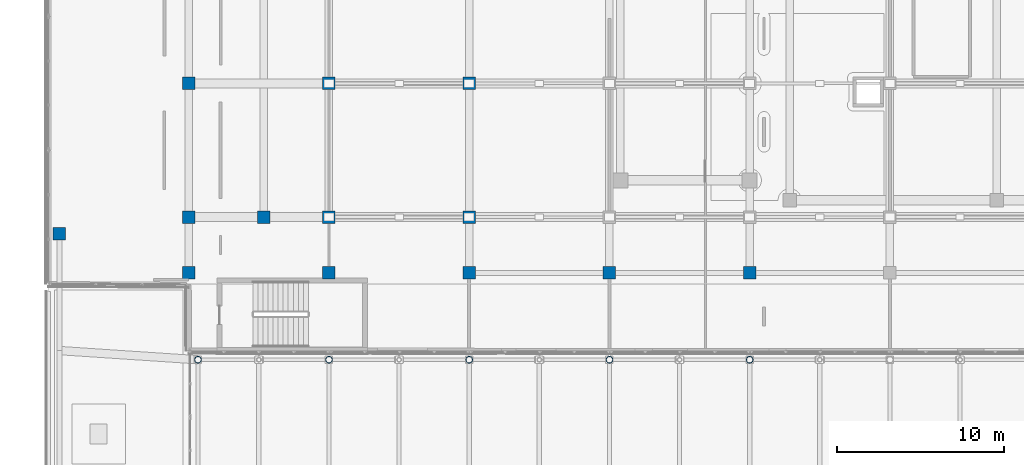
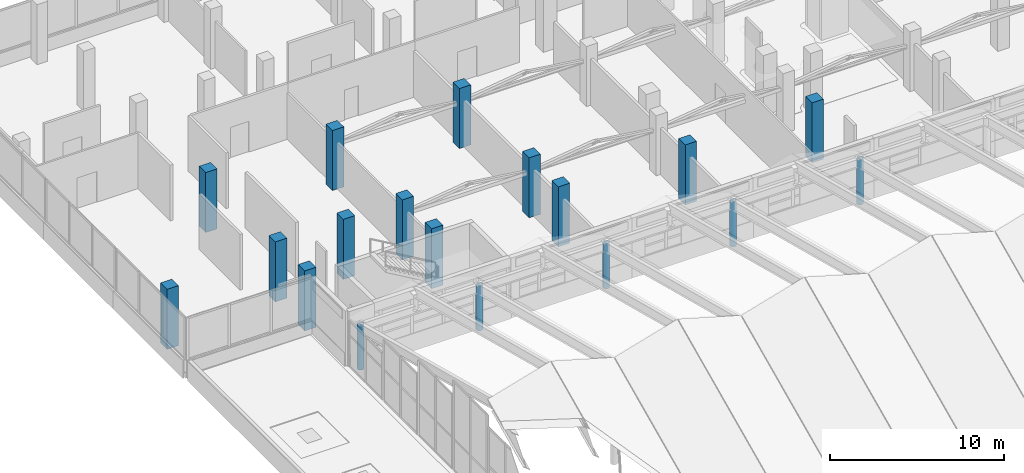
# One storey, part 7 of 184: 18 columns.
"""IFC4 building model written with IfcOpenShell, lengths in metres."""

from ifc_helpers import new_model, si_unit, direction, frame, origin, origin_2d, place, context, subcontext, project, spatial, rectangle, hollow_circle, extrude, material, material_profile, profile_set, type_object, element, save


model = new_model("IFC4")

# Units and contexts
model_context = context("Model", 3, precision=1e-05, world=origin(), true_north=direction((0.0, 1.0)))
body_context = subcontext(model_context, "Body", "Model", "MODEL_VIEW")
ifc_project = project(units=[si_unit("LENGTHUNIT", "METRE"), si_unit("AREAUNIT", "SQUARE_METRE"), si_unit("VOLUMEUNIT", "CUBIC_METRE"), si_unit("PLANEANGLEUNIT", "RADIAN"), si_unit("MASSUNIT", "GRAM", prefix="KILO")], contexts=[model_context])

# Site, building, storey
site_placement = place(None, origin())
site = spatial("IfcSite", under=ifc_project, at=site_placement, CompositionType="ELEMENT")
building_placement = place(site_placement, origin())
building = spatial("IfcBuilding", under=site, at=building_placement, Name="Selatvlak General Hospital", CompositionType="ELEMENT")
storey_placement = place(building_placement, frame((0.0, 0.0, 15.0)))
storey = spatial("IfcBuildingStorey", under=building, at=storey_placement, Name="L03", CompositionType="ELEMENT", Elevation=15.0)

# Columns
ifc_material_1 = material(Name="Steel S355", Category="steel")
ifc_material_profile_1 = material_profile(ifc_material_1, hollow_circle(Radius=0.203125, WallThickness=0.01611328125, at=origin_2d()), Name="CHS 406.4x16")
ifc_profile_set_1 = profile_set([ifc_material_profile_1], Name="Steel S355")
column_type_1 = type_object("IfcColumnType", Name="COL-CHS406", PredefinedType="COLUMN", material=ifc_profile_set_1)
for number, where, z_axis, x_axis, name in (
    (1, (23.35009765625, 83.449951171875, 0.0), (0.0, 0.0, 1.0), (1.0, 0.0, 0.0), "Column 003 on L03"),
    (2, (31.199951171875, 83.449951171875, 0.0), (0.0, 0.0, 1.0), (1.0, 0.0, 0.0), "Column 006 on L03"),
    (3, (39.60009765625, 83.449951171875, 0.0), (0.0, 0.0, 1.0), (1.0, 0.0, 0.0), "Column 009 on L03"),
    (4, (48.0, 83.449951171875, 0.0), (0.0, 0.0, 1.0), (1.0, 0.0, 0.0), "Column 012 on L03"),
    (5, (56.39990234375, 83.449951171875, 0.0), (0.0, 0.0, 1.0), (1.0, 0.0, 0.0), "Column 015 on L03"),
):
    element("IfcColumn", number, at=place(storey_placement, frame(where, z_axis=z_axis, x_axis=x_axis)), inside=storey, type_object=column_type_1, Name=name, PredefinedType="COLUMN", context=body_context, shape_type="SweptSolid", body=[
        extrude(hollow_circle(Radius=0.203125, WallThickness=0.01611328125, at=origin_2d()), origin(), (0.0, 0.0, 1.0), 3.155029296875),
    ])
ifc_material_2 = material(Name="Concrete C50/60", Category="concrete")
ifc_material_profile_2 = material_profile(ifc_material_2, rectangle(XDim=0.75, YDim=0.75, at=origin_2d()), Name="RC-COL 750x750")
ifc_profile_set_2 = profile_set([ifc_material_profile_2], Name="Concrete C50/60")
column_type_2 = type_object("IfcColumnType", Name="COL-RC75", PredefinedType="COLUMN", material=ifc_profile_set_2)
for number, where, z_axis, x_axis, name in (
    (6, (15.050048828125, 91.0, 0.0), (0.0, 0.0, 1.0), (1.0, 0.0, 0.0), "Column 070 on L03"),
    (7, (27.300048828125, 92.0, 0.0), (0.0, 0.0, 1.0), (1.0, 0.0, 0.0), "Column 111 on L03"),
    (8, (22.800048828125, 88.64990234375, 0.0), (0.0, 0.0, 1.0), (1.0, 0.0, 0.0), "Column 158 on L03"),
    (9, (22.800048828125, 92.0, 0.0), (0.0, 0.0, 1.0), (1.0, 0.0, 0.0), "Column 159 on L03"),
    (10, (22.800048828125, 100.0, 0.0), (0.0, 0.0, 1.0), (1.0, 0.0, 0.0), "Column 160 on L03"),
    (11, (31.199951171875, 88.64990234375, 0.0), (0.0, 0.0, 1.0), (1.0, 0.0, 0.0), "Column 164 on L03"),
    (12, (31.199951171875, 92.0, 0.0), (0.0, 0.0, 1.0), (1.0, 0.0, 0.0), "Column 165 on L03"),
    (13, (31.199951171875, 100.0, 0.0), (0.0, 0.0, 1.0), (1.0, 0.0, 0.0), "Column 166 on L03"),
    (14, (39.60009765625, 88.64990234375, 0.0), (0.0, 0.0, 1.0), (1.0, 0.0, 0.0), "Column 170 on L03"),
    (15, (39.60009765625, 92.0, 0.0), (0.0, 0.0, 1.0), (1.0, 0.0, 0.0), "Column 171 on L03"),
    (16, (39.60009765625, 100.0, 0.0), (0.0, 0.0, 1.0), (1.0, 0.0, 0.0), "Column 172 on L03"),
    (17, (48.0, 88.64990234375, 0.0), (0.0, 0.0, 1.0), (1.0, 0.0, 0.0), "Column 177 on L03"),
    (18, (56.39990234375, 88.64990234375, 0.0), (0.0, 0.0, 1.0), (1.0, 0.0, 0.0), "Column 181 on L03"),
):
    element("IfcColumn", number, at=place(storey_placement, frame(where, z_axis=z_axis, x_axis=x_axis)), inside=storey, type_object=column_type_2, Name=name, PredefinedType="COLUMN", context=body_context, shape_type="SweptSolid", body=[
        extrude(rectangle(XDim=0.75, YDim=0.75, at=origin_2d()), origin(), (0.0, 0.0, 1.0), 4.199951171875),
    ])

save(model, "model.ifc")
